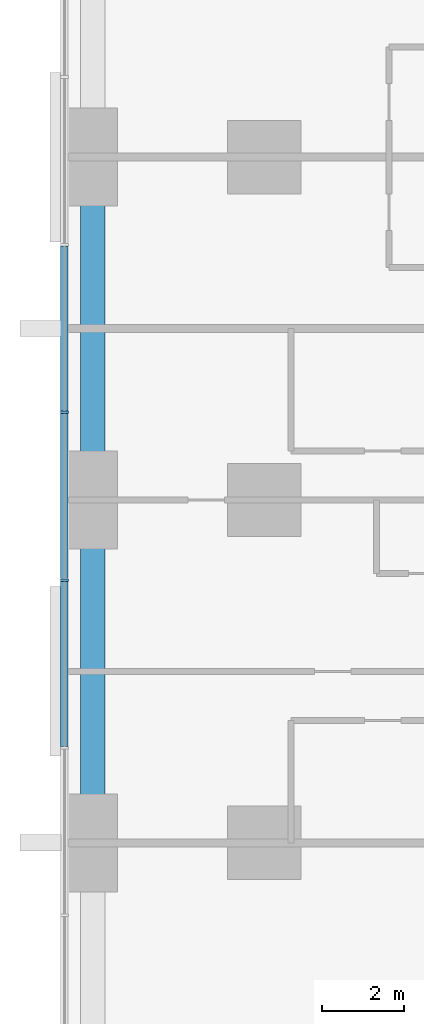
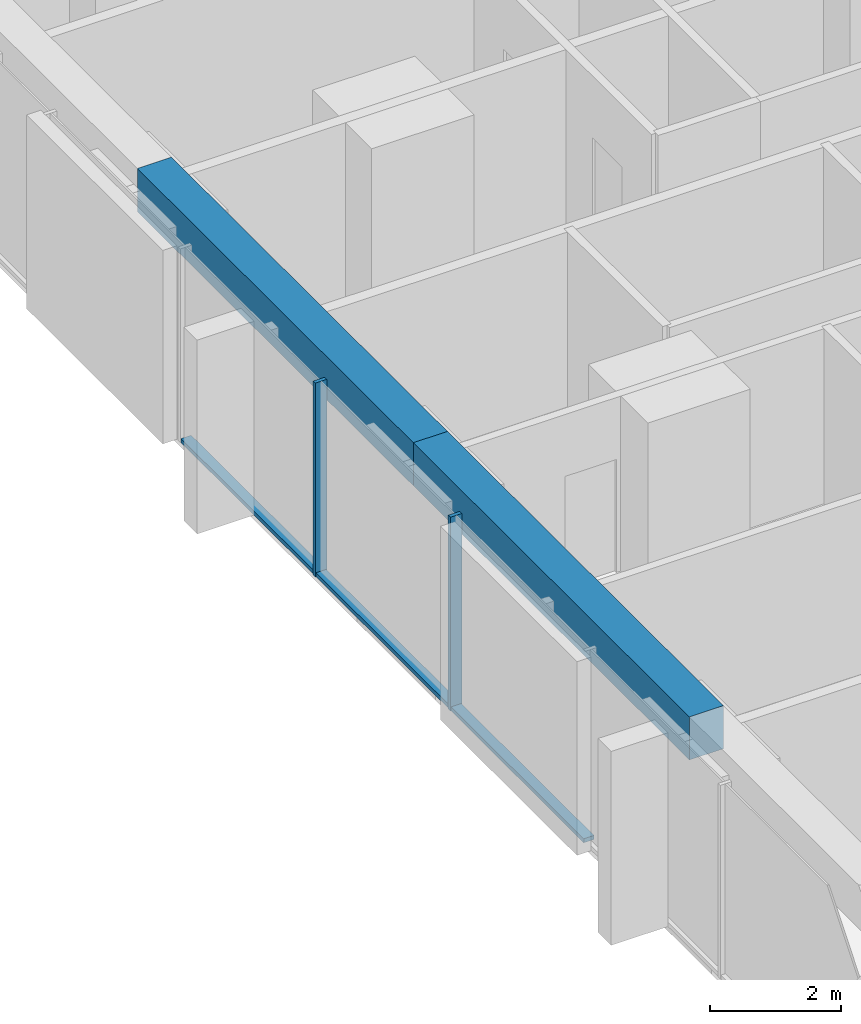
# One storey, part 3 of 17: 5 members, 2 beams, 1 element without a shape of its own.
"""IFC4 building model written with IfcOpenShell, lengths in metres."""

import ifcopenshell
import ifcopenshell.guid

model = None  # the IFC model being written
_history = None  # IfcOwnerHistory: only IFC2X3 demands one
_inside = {}  # id of a spatial element -> (the spatial element, [elements in it])
_under = {}  # id of a project, library or spatial element -> (it, [spatial elements below it])
_declared = {}  # id of a project -> (the project, [libraries it declares])
_typed = {}  # id of a type object -> (the type object, [elements of that type])
_made_of = {}  # id of a material, layer set ... -> (it, [elements and type objects made of it])


def new_model(schema):
    """Start an empty IFC model of exactly this schema.

    Asked for "IFC4X3", IfcOpenShell would pick the latest addendum, in which some entities
    have other attributes; the version numbers below select the first issue.
    IFC2X3 requires an IfcOwnerHistory on every rooted entity: one is made here for all.
    """
    global model, _history
    if schema == "IFC4X3":
        model = ifcopenshell.file(schema_version=(4, 3, 0, 0))
    else:
        model = ifcopenshell.file(schema=schema)
    _inside.clear()
    _under.clear()
    _declared.clear()
    _typed.clear()
    _made_of.clear()
    _history = None
    if model.schema == "IFC2X3":
        org = make("IfcOrganization", Name="unknown")
        user = make(
            "IfcPersonAndOrganization",
            ThePerson=make("IfcPerson", FamilyName="unknown"),
            TheOrganization=org,
        )
        app = make(
            "IfcApplication",
            ApplicationDeveloper=org,
            Version="unknown",
            ApplicationFullName="unknown",
            ApplicationIdentifier="unknown",
        )
        _history = make(
            "IfcOwnerHistory",
            OwningUser=user,
            OwningApplication=app,
            ChangeAction="ADDED",
            CreationDate=0,
        )
    return model


def make(cls, **values):
    """One entity of the class cls with the attributes given. An attribute that is None is left unset."""
    return model.create_entity(
        cls, **{name: value for name, value in values.items() if value is not None}
    )


def rooted(cls, **values):
    """An entity with a GlobalId (a new one), such as an element, a storey or a relation."""
    return make(cls, GlobalId=ifcopenshell.guid.new(), OwnerHistory=_history, **values)


def si_unit(unit_type, name, prefix=None):
    """IfcSIUnit, for example si_unit("LENGTHUNIT", "METRE", prefix="MILLI")."""
    return make("IfcSIUnit", UnitType=unit_type, Prefix=prefix, Name=name)


def assignment(units):
    """IfcUnitAssignment: the units of a project."""
    return None if units is None else make("IfcUnitAssignment", Units=units)


def point(xyz):
    """IfcCartesianPoint."""
    return None if xyz is None else make("IfcCartesianPoint", Coordinates=xyz)


def direction(xyz):
    """IfcDirection."""
    return None if xyz is None else make("IfcDirection", DirectionRatios=xyz)


def frame(location, z_axis=None, x_axis=None):
    """IfcAxis2Placement3D, a coordinate frame: its origin and axes. An axis left out is left unset."""
    return make(
        "IfcAxis2Placement3D",
        Location=point(location),
        Axis=direction(z_axis),
        RefDirection=direction(x_axis),
    )


def frame_2d(location, x_axis=None):
    """IfcAxis2Placement2D, a coordinate frame in the plane: its origin and x axis."""
    return make(
        "IfcAxis2Placement2D", Location=point(location), RefDirection=direction(x_axis)
    )


def origin():
    """The frame at (0, 0, 0) with its axes left unset."""
    return frame((0.0, 0.0, 0.0))


def origin_2d():
    """The frame at (0, 0) in the plane with its x axis left unset."""
    return frame_2d((0.0, 0.0))


def place(relative_to, where):
    """IfcLocalPlacement: puts the frame where relative to a parent placement (None: the world)."""
    return make(
        "IfcLocalPlacement", PlacementRelTo=relative_to, RelativePlacement=where
    )


def context(
    kind, dimensions, precision=None, world=None, true_north=None, identifier=None
):
    """IfcGeometricRepresentationContext, for example the 3D "Model" context."""
    return make(
        "IfcGeometricRepresentationContext",
        ContextIdentifier=identifier,
        ContextType=kind,
        CoordinateSpaceDimension=dimensions,
        Precision=precision,
        WorldCoordinateSystem=world,
        TrueNorth=true_north,
    )


def subcontext(parent, identifier, kind, view, scale=None):
    """IfcGeometricRepresentationSubContext, for example "Body" below "Model"."""
    return make(
        "IfcGeometricRepresentationSubContext",
        ContextIdentifier=identifier,
        ContextType=kind,
        ParentContext=parent,
        TargetScale=scale,
        TargetView=view,
    )


def project(units=None, contexts=None):
    """IfcProject with its units and contexts."""
    return rooted(
        "IfcProject",
        Name="project",
        RepresentationContexts=contexts,
        UnitsInContext=assignment(units),
    )


def spatial(cls, under=None, at=None, **own):
    """A site, building, storey or space (cls), placed at a placement, below another one or the project."""
    s = rooted(cls, ObjectPlacement=at, **own)
    if under is not None:
        _under.setdefault(under.id(), (under, []))[1].append(s)
    return s


def profile(cls, at=None, kind="AREA", **sizes):
    """A parametric profile (cls). Its sizes go by their IFC names, for example OverallWidth=200.0."""
    return make(cls, ProfileType=kind, Position=at, **sizes)


def rectangle(**sizes):
    """IfcRectangleProfileDef."""
    return profile("IfcRectangleProfileDef", **sizes)


def extrude(swept, where, along, depth):
    """IfcExtrudedAreaSolid: the profile swept, set in the frame where, extruded along a direction by depth."""
    return make(
        "IfcExtrudedAreaSolid",
        SweptArea=swept,
        Position=where,
        ExtrudedDirection=direction(along),
        Depth=depth,
    )


def shape(context_of_items, identifier, shape_type, items):
    """IfcShapeRepresentation: the items that make up one representation, for example the "Body"."""
    return make(
        "IfcShapeRepresentation",
        ContextOfItems=context_of_items,
        RepresentationIdentifier=identifier,
        RepresentationType=shape_type,
        Items=items,
    )


def material(Name=None, Category=None):
    """IfcMaterial."""
    return make("IfcMaterial", Name=Name, Category=Category)


def material_profile(
    of_material, cross_section, Name=None, Category=None, Priority=None
):
    """IfcMaterialProfile: a cross section and its material."""
    return make(
        "IfcMaterialProfile",
        Name=Name,
        Material=of_material,
        Profile=cross_section,
        Priority=Priority,
        Category=Category,
    )


def profile_set(profiles, Name=None, composite=None):
    """IfcMaterialProfileSet."""
    return make(
        "IfcMaterialProfileSet",
        Name=Name,
        MaterialProfiles=profiles,
        CompositeProfile=composite,
    )


def made_of(thing, what):
    """Note that an element or type object is made of a material, layer set ...; save() writes the relation."""
    if what is not None:
        _made_of.setdefault(what.id(), (what, []))[1].append(thing)
    return thing


def type_object(cls, material=None, **own):
    """A type object (cls), such as IfcWallType, which elements share."""
    return made_of(rooted(cls, **own), material)


def element(
    cls,
    number,
    at=None,
    inside=None,
    cuts=None,
    type_object=None,
    material=None,
    context=None,
    identifier="Body",
    shape_type=None,
    held_by="IfcProductDefinitionShape",
    body=None,
    shapes=None,
    **own,
):
    """One element of the class cls, such as IfcWall. Its Tag is "e" and its number.

    at: its placement. inside: the storey or other place that contains it. cuts: it is an
    opening in that element (IfcRelVoidsElement). A single representation is given by context,
    identifier, shape_type and body (its items); several are given by shapes. held_by: the class
    of the entity that holds the representations. save() writes the other relations.
    """
    e = rooted(cls, Tag="e%d" % number, ObjectPlacement=at, **own)
    if body is not None:
        shapes = [shape(context, identifier, shape_type, body)]
    if shapes is not None:
        e.Representation = make(held_by, Representations=shapes)
    if inside is not None:
        _inside.setdefault(inside.id(), (inside, []))[1].append(e)
    if cuts is not None:
        rooted(
            "IfcRelVoidsElement", RelatingBuildingElement=cuts, RelatedOpeningElement=e
        )
    if type_object is not None:
        _typed.setdefault(type_object.id(), (type_object, []))[1].append(e)
    return made_of(e, material)


def aggregate(whole, parts):
    """IfcRelAggregates: a whole, such as a stair, and the parts it consists of."""
    return rooted("IfcRelAggregates", RelatingObject=whole, RelatedObjects=parts)


def save(model, path):
    """Write the relations noted so far, then the file.

    IfcRelAggregates (storeys below a building ...), IfcRelContainedInSpatialStructure (elements
    in a storey), IfcRelDefinesByType, IfcRelAssociatesMaterial and IfcRelDeclares: one each for
    every whole, place, type object, material and project.
    """
    for whole, parts in _under.values():
        aggregate(whole, parts)
    for where, things in _inside.values():
        rooted(
            "IfcRelContainedInSpatialStructure",
            RelatedElements=things,
            RelatingStructure=where,
        )
    for kind, things in _typed.values():
        rooted("IfcRelDefinesByType", RelatedObjects=things, RelatingType=kind)
    for what, things in _made_of.values():
        rooted("IfcRelAssociatesMaterial", RelatedObjects=things, RelatingMaterial=what)
    for by, libraries in _declared.values():
        rooted("IfcRelDeclares", RelatingContext=by, RelatedDefinitions=libraries)
    model.write(path)


model = new_model("IFC4")

# Units and contexts
model_context = context("Model", 3, precision=1e-05, world=origin(), true_north=direction((0.0, 1.0)))
body_context = subcontext(model_context, "Body", "Model", "MODEL_VIEW")
ifc_project = project(units=[si_unit("LENGTHUNIT", "METRE"), si_unit("AREAUNIT", "SQUARE_METRE"), si_unit("VOLUMEUNIT", "CUBIC_METRE"), si_unit("PLANEANGLEUNIT", "RADIAN"), si_unit("MASSUNIT", "GRAM", prefix="KILO")], contexts=[model_context])

# Site, building, storey
site_placement = place(None, origin())
site = spatial("IfcSite", under=ifc_project, at=site_placement, CompositionType="ELEMENT")
building_placement = place(site_placement, origin())
building = spatial("IfcBuilding", under=site, at=building_placement, Name="Dunama Terrace Hotel", CompositionType="ELEMENT")
storey_placement = place(building_placement, frame((0.0, 0.0, 48.60009765625)))
storey = spatial("IfcBuildingStorey", under=building, at=storey_placement, Name="L11", CompositionType="ELEMENT", Elevation=48.60009765625)

# Curtain wall, members
ifc_material_1 = material(Name="Aluminium curtain wall system", Category="aluminium")
curtain_wall_type = type_object("IfcCurtainWallType", Name="Unitised fritted glass wall CW-A", PredefinedType="NOTDEFINED", material=ifc_material_1)
curtain_wall_placement = place(storey_placement, origin())
curtain_wall = element("IfcCurtainWall", 1, at=curtain_wall_placement, inside=storey, type_object=curtain_wall_type, Name="Unitised fritted glass wall CW-A L11", PredefinedType="NOTDEFINED")
ifc_material_2 = material(Name="Aluminium mullion", Category="aluminium")
ifc_material_profile_1 = material_profile(ifc_material_2, rectangle(XDim=0.06494140625, YDim=0.199951171875, at=origin_2d()), Name="CWA MULLION 65X200")
ifc_profile_set_1 = profile_set([ifc_material_profile_1], Name="Aluminium mullion")
member_type_1 = type_object("IfcMemberType", Name="CWA mullion 65x200", PredefinedType="MULLION", material=ifc_profile_set_1)
member_1_placement = place(storey_placement, frame((-0.10009765625, 27.345947265625, 0.0), z_axis=(0.0, 0.0, 1.0), x_axis=(0.0, -1.0, 0.0)))
member_1 = element("IfcMember", 2, at=member_1_placement, type_object=member_type_1, Name="CWA mullion", PredefinedType="MULLION", context=body_context, shape_type="SweptSolid", body=[
    extrude(rectangle(XDim=0.06494140625, YDim=0.199951171875, at=origin_2d()), origin(), (0.0, 0.0, 1.0), 3.599853515625),
])
member_2_placement = place(storey_placement, frame((-0.10009765625, 23.238037109375, 0.0), z_axis=(0.0, 0.0, 1.0), x_axis=(0.0, -1.0, 0.0)))
member_2 = element("IfcMember", 3, at=member_2_placement, type_object=member_type_1, Name="CWA mullion", PredefinedType="MULLION", context=body_context, shape_type="SweptSolid", body=[
    extrude(rectangle(XDim=0.06494140625, YDim=0.199951171875, at=origin_2d()), origin(), (0.0, 0.0, 1.0), 3.599853515625),
])
ifc_material_3 = material(Name="Aluminium transom", Category="aluminium")
ifc_material_profile_2 = material_profile(ifc_material_3, rectangle(XDim=0.179931640625, YDim=0.074951171875, at=origin_2d()), Name="CWA TRANSOM 180X75")
ifc_profile_set_2 = profile_set([ifc_material_profile_2], Name="Aluminium transom")
member_type_2 = type_object("IfcMemberType", Name="CWA transom 180x75", PredefinedType="USERDEFINED", material=ifc_profile_set_2)
member_3_placement = place(storey_placement, frame((-0.10009765625, 31.4208984375, 0.037353515625), z_axis=(0.0, -1.0, 0.0), x_axis=(1.0, 0.0, 0.0)))
member_3 = element("IfcMember", 4, at=member_3_placement, type_object=member_type_2, Name="CWA transom", ObjectType="TRANSOM", PredefinedType="USERDEFINED", context=body_context, shape_type="SweptSolid", body=[
    extrude(rectangle(XDim=0.179931640625, YDim=0.074951171875, at=origin_2d()), origin(), (0.0, 0.0, 1.0), 4.0419921875),
])
member_4_placement = place(storey_placement, frame((-0.10009765625, 27.31396484375, 0.037353515625), z_axis=(0.0, -1.0, 0.0), x_axis=(1.0, 0.0, 0.0)))
member_4 = element("IfcMember", 5, at=member_4_placement, type_object=member_type_2, Name="CWA transom", ObjectType="TRANSOM", PredefinedType="USERDEFINED", context=body_context, shape_type="SweptSolid", body=[
    extrude(rectangle(XDim=0.179931640625, YDim=0.074951171875, at=origin_2d()), origin(), (0.0, 0.0, 1.0), 4.04296875),
])
member_5_placement = place(storey_placement, frame((-0.10009765625, 23.2060546875, 0.037353515625), z_axis=(0.0, -1.0, 0.0), x_axis=(1.0, 0.0, 0.0)))
member_5 = element("IfcMember", 6, at=member_5_placement, type_object=member_type_2, Name="CWA transom", ObjectType="TRANSOM", PredefinedType="USERDEFINED", context=body_context, shape_type="SweptSolid", body=[
    extrude(rectangle(XDim=0.179931640625, YDim=0.074951171875, at=origin_2d()), origin(), (0.0, 0.0, 1.0), 4.04296875),
])
aggregate(curtain_wall, [member_1, member_2, member_3, member_4, member_5])

# Beams
ifc_material_4 = material(Name="Concrete C40/50", Category="concrete")
ifc_material_profile_3 = material_profile(ifc_material_4, rectangle(XDim=0.60009765625, YDim=0.800048828125, at=origin_2d()), Name="RC 600x800")
ifc_profile_set_3 = profile_set([ifc_material_profile_3], Name="Concrete C40/50")
beam_type = type_object("IfcBeamType", Name="Edge beam RC 600x800", PredefinedType="SPANDREL", material=ifc_profile_set_3)
beam_1_placement = place(storey_placement, frame((0.60009765625, 16.800048828125, 3.199951171875), z_axis=(0.0, 1.0, 0.0), x_axis=(-1.0, 0.0, 0.0)))
element("IfcBeam", 7, at=beam_1_placement, inside=storey, type_object=beam_type, Name="Edge beam under L12", PredefinedType="SPANDREL", context=body_context, shape_type="SweptSolid", body=[
    extrude(rectangle(XDim=0.60009765625, YDim=0.800048828125, at=origin_2d()), origin(), (0.0, 0.0, 1.0), 8.39990234375),
])
beam_2_placement = place(storey_placement, frame((0.60009765625, 25.199951171875, 3.199951171875), z_axis=(0.0, 1.0, 0.0), x_axis=(-1.0, 0.0, 0.0)))
element("IfcBeam", 8, at=beam_2_placement, inside=storey, type_object=beam_type, Name="Edge beam under L12", PredefinedType="SPANDREL", context=body_context, shape_type="SweptSolid", body=[
    extrude(rectangle(XDim=0.60009765625, YDim=0.800048828125, at=origin_2d()), origin(), (0.0, 0.0, 1.0), 8.400146484375),
])

save(model, "model.ifc")
